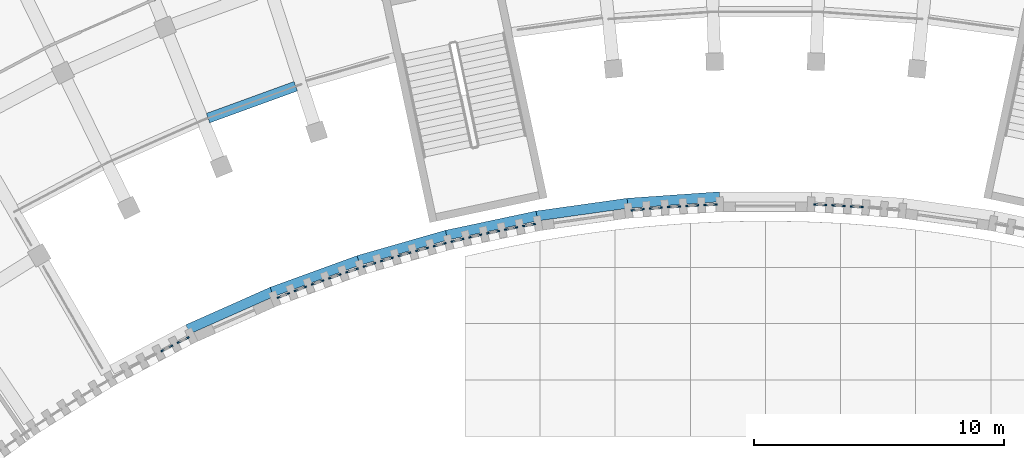
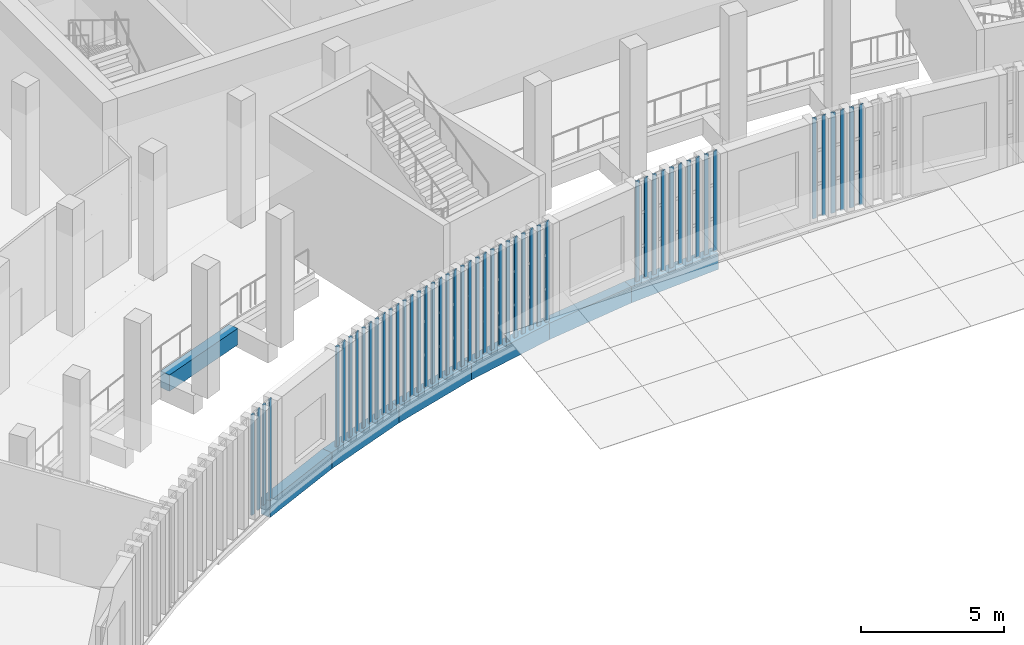
# One storey, part 11 of 112: 50 members, 7 beams, 25 elements without a shape of their own.
"""IFC4 building model written with IfcOpenShell, lengths in metres."""

import ifcopenshell
import ifcopenshell.guid

model = None  # the IFC model being written
_history = None  # IfcOwnerHistory: only IFC2X3 demands one
_inside = {}  # id of a spatial element -> (the spatial element, [elements in it])
_under = {}  # id of a project, library or spatial element -> (it, [spatial elements below it])
_declared = {}  # id of a project -> (the project, [libraries it declares])
_typed = {}  # id of a type object -> (the type object, [elements of that type])
_made_of = {}  # id of a material, layer set ... -> (it, [elements and type objects made of it])


def new_model(schema):
    """Start an empty IFC model of exactly this schema.

    Asked for "IFC4X3", IfcOpenShell would pick the latest addendum, in which some entities
    have other attributes; the version numbers below select the first issue.
    IFC2X3 requires an IfcOwnerHistory on every rooted entity: one is made here for all.
    """
    global model, _history
    if schema == "IFC4X3":
        model = ifcopenshell.file(schema_version=(4, 3, 0, 0))
    else:
        model = ifcopenshell.file(schema=schema)
    _inside.clear()
    _under.clear()
    _declared.clear()
    _typed.clear()
    _made_of.clear()
    _history = None
    if model.schema == "IFC2X3":
        org = make("IfcOrganization", Name="unknown")
        user = make(
            "IfcPersonAndOrganization",
            ThePerson=make("IfcPerson", FamilyName="unknown"),
            TheOrganization=org,
        )
        app = make(
            "IfcApplication",
            ApplicationDeveloper=org,
            Version="unknown",
            ApplicationFullName="unknown",
            ApplicationIdentifier="unknown",
        )
        _history = make(
            "IfcOwnerHistory",
            OwningUser=user,
            OwningApplication=app,
            ChangeAction="ADDED",
            CreationDate=0,
        )
    return model


def make(cls, **values):
    """One entity of the class cls with the attributes given. An attribute that is None is left unset."""
    return model.create_entity(
        cls, **{name: value for name, value in values.items() if value is not None}
    )


def rooted(cls, **values):
    """An entity with a GlobalId (a new one), such as an element, a storey or a relation."""
    return make(cls, GlobalId=ifcopenshell.guid.new(), OwnerHistory=_history, **values)


def si_unit(unit_type, name, prefix=None):
    """IfcSIUnit, for example si_unit("LENGTHUNIT", "METRE", prefix="MILLI")."""
    return make("IfcSIUnit", UnitType=unit_type, Prefix=prefix, Name=name)


def assignment(units):
    """IfcUnitAssignment: the units of a project."""
    return None if units is None else make("IfcUnitAssignment", Units=units)


def point(xyz):
    """IfcCartesianPoint."""
    return None if xyz is None else make("IfcCartesianPoint", Coordinates=xyz)


def direction(xyz):
    """IfcDirection."""
    return None if xyz is None else make("IfcDirection", DirectionRatios=xyz)


def frame(location, z_axis=None, x_axis=None):
    """IfcAxis2Placement3D, a coordinate frame: its origin and axes. An axis left out is left unset."""
    return make(
        "IfcAxis2Placement3D",
        Location=point(location),
        Axis=direction(z_axis),
        RefDirection=direction(x_axis),
    )


def frame_2d(location, x_axis=None):
    """IfcAxis2Placement2D, a coordinate frame in the plane: its origin and x axis."""
    return make(
        "IfcAxis2Placement2D", Location=point(location), RefDirection=direction(x_axis)
    )


def origin():
    """The frame at (0, 0, 0) with its axes left unset."""
    return frame((0.0, 0.0, 0.0))


def origin_2d():
    """The frame at (0, 0) in the plane with its x axis left unset."""
    return frame_2d((0.0, 0.0))


def place(relative_to, where):
    """IfcLocalPlacement: puts the frame where relative to a parent placement (None: the world)."""
    return make(
        "IfcLocalPlacement", PlacementRelTo=relative_to, RelativePlacement=where
    )


def context(
    kind, dimensions, precision=None, world=None, true_north=None, identifier=None
):
    """IfcGeometricRepresentationContext, for example the 3D "Model" context."""
    return make(
        "IfcGeometricRepresentationContext",
        ContextIdentifier=identifier,
        ContextType=kind,
        CoordinateSpaceDimension=dimensions,
        Precision=precision,
        WorldCoordinateSystem=world,
        TrueNorth=true_north,
    )


def subcontext(parent, identifier, kind, view, scale=None):
    """IfcGeometricRepresentationSubContext, for example "Body" below "Model"."""
    return make(
        "IfcGeometricRepresentationSubContext",
        ContextIdentifier=identifier,
        ContextType=kind,
        ParentContext=parent,
        TargetScale=scale,
        TargetView=view,
    )


def project(units=None, contexts=None):
    """IfcProject with its units and contexts."""
    return rooted(
        "IfcProject",
        Name="project",
        RepresentationContexts=contexts,
        UnitsInContext=assignment(units),
    )


def spatial(cls, under=None, at=None, **own):
    """A site, building, storey or space (cls), placed at a placement, below another one or the project."""
    s = rooted(cls, ObjectPlacement=at, **own)
    if under is not None:
        _under.setdefault(under.id(), (under, []))[1].append(s)
    return s


def profile(cls, at=None, kind="AREA", **sizes):
    """A parametric profile (cls). Its sizes go by their IFC names, for example OverallWidth=200.0."""
    return make(cls, ProfileType=kind, Position=at, **sizes)


def rectangle(**sizes):
    """IfcRectangleProfileDef."""
    return profile("IfcRectangleProfileDef", **sizes)


def extrude(swept, where, along, depth):
    """IfcExtrudedAreaSolid: the profile swept, set in the frame where, extruded along a direction by depth."""
    return make(
        "IfcExtrudedAreaSolid",
        SweptArea=swept,
        Position=where,
        ExtrudedDirection=direction(along),
        Depth=depth,
    )


def shape(context_of_items, identifier, shape_type, items):
    """IfcShapeRepresentation: the items that make up one representation, for example the "Body"."""
    return make(
        "IfcShapeRepresentation",
        ContextOfItems=context_of_items,
        RepresentationIdentifier=identifier,
        RepresentationType=shape_type,
        Items=items,
    )


def material(Name=None, Category=None):
    """IfcMaterial."""
    return make("IfcMaterial", Name=Name, Category=Category)


def layer(
    of_material, thickness, ventilated=None, Name=None, Category=None, Priority=None
):
    """IfcMaterialLayer: one layer of a wall or slab, of a material (None: an air gap)."""
    return make(
        "IfcMaterialLayer",
        Material=of_material,
        LayerThickness=thickness,
        IsVentilated=ventilated,
        Name=Name,
        Category=Category,
        Priority=Priority,
    )


def layer_set(layers, Name=None):
    """IfcMaterialLayerSet."""
    return make("IfcMaterialLayerSet", MaterialLayers=layers, LayerSetName=Name)


def material_profile(
    of_material, cross_section, Name=None, Category=None, Priority=None
):
    """IfcMaterialProfile: a cross section and its material."""
    return make(
        "IfcMaterialProfile",
        Name=Name,
        Material=of_material,
        Profile=cross_section,
        Priority=Priority,
        Category=Category,
    )


def profile_set(profiles, Name=None, composite=None):
    """IfcMaterialProfileSet."""
    return make(
        "IfcMaterialProfileSet",
        Name=Name,
        MaterialProfiles=profiles,
        CompositeProfile=composite,
    )


def made_of(thing, what):
    """Note that an element or type object is made of a material, layer set ...; save() writes the relation."""
    if what is not None:
        _made_of.setdefault(what.id(), (what, []))[1].append(thing)
    return thing


def type_object(cls, material=None, **own):
    """A type object (cls), such as IfcWallType, which elements share."""
    return made_of(rooted(cls, **own), material)


def element(
    cls,
    number,
    at=None,
    inside=None,
    cuts=None,
    type_object=None,
    material=None,
    context=None,
    identifier="Body",
    shape_type=None,
    held_by="IfcProductDefinitionShape",
    body=None,
    shapes=None,
    **own,
):
    """One element of the class cls, such as IfcWall. Its Tag is "e" and its number.

    at: its placement. inside: the storey or other place that contains it. cuts: it is an
    opening in that element (IfcRelVoidsElement). A single representation is given by context,
    identifier, shape_type and body (its items); several are given by shapes. held_by: the class
    of the entity that holds the representations. save() writes the other relations.
    """
    e = rooted(cls, Tag="e%d" % number, ObjectPlacement=at, **own)
    if body is not None:
        shapes = [shape(context, identifier, shape_type, body)]
    if shapes is not None:
        e.Representation = make(held_by, Representations=shapes)
    if inside is not None:
        _inside.setdefault(inside.id(), (inside, []))[1].append(e)
    if cuts is not None:
        rooted(
            "IfcRelVoidsElement", RelatingBuildingElement=cuts, RelatedOpeningElement=e
        )
    if type_object is not None:
        _typed.setdefault(type_object.id(), (type_object, []))[1].append(e)
    return made_of(e, material)


def aggregate(whole, parts):
    """IfcRelAggregates: a whole, such as a stair, and the parts it consists of."""
    return rooted("IfcRelAggregates", RelatingObject=whole, RelatedObjects=parts)


def save(model, path):
    """Write the relations noted so far, then the file.

    IfcRelAggregates (storeys below a building ...), IfcRelContainedInSpatialStructure (elements
    in a storey), IfcRelDefinesByType, IfcRelAssociatesMaterial and IfcRelDeclares: one each for
    every whole, place, type object, material and project.
    """
    for whole, parts in _under.values():
        aggregate(whole, parts)
    for where, things in _inside.values():
        rooted(
            "IfcRelContainedInSpatialStructure",
            RelatedElements=things,
            RelatingStructure=where,
        )
    for kind, things in _typed.values():
        rooted("IfcRelDefinesByType", RelatedObjects=things, RelatingType=kind)
    for what, things in _made_of.values():
        rooted("IfcRelAssociatesMaterial", RelatedObjects=things, RelatingMaterial=what)
    for by, libraries in _declared.values():
        rooted("IfcRelDeclares", RelatingContext=by, RelatedDefinitions=libraries)
    model.write(path)


model = new_model("IFC4")

# Units and contexts
model_context = context("Model", 3, precision=1e-05, world=origin(), true_north=direction((0.0, 1.0)))
body_context = subcontext(model_context, "Body", "Model", "MODEL_VIEW")
ifc_project = project(units=[si_unit("LENGTHUNIT", "METRE"), si_unit("AREAUNIT", "SQUARE_METRE"), si_unit("VOLUMEUNIT", "CUBIC_METRE"), si_unit("PLANEANGLEUNIT", "RADIAN"), si_unit("MASSUNIT", "GRAM", prefix="KILO")], contexts=[model_context])

# Site, building, storey
site_placement = place(None, origin())
site = spatial("IfcSite", under=ifc_project, at=site_placement, CompositionType="ELEMENT")
building_placement = place(site_placement, origin())
building = spatial("IfcBuilding", under=site, at=building_placement, Name="Lunette Opera House", CompositionType="ELEMENT")
storey_placement = place(building_placement, frame((0.0, 0.0, 6.0)))
storey = spatial("IfcBuildingStorey", under=building, at=storey_placement, Name="L01", CompositionType="ELEMENT", Elevation=6.0)

# Curtain wall, members
ifc_material_1 = material(Name="Aluminium", Category="aluminium")
ifc_layer = layer(ifc_material_1, 0.1201171875)
ifc_layer_set = layer_set([ifc_layer], Name="Aluminium")
curtain_wall_type = type_object("IfcCurtainWallType", Name="SLOT CURTAIN WALL", PredefinedType="NOTDEFINED", material=ifc_layer_set)
curtain_wall_1_placement = place(storey_placement, origin())
curtain_wall_1 = element("IfcCurtainWall", 1, at=curtain_wall_1_placement, inside=storey, type_object=curtain_wall_type, Name="Slot Curtain Wall CS019 L01", PredefinedType="NOTDEFINED")
ifc_material_2 = material(Name="Aluminium", Category="aluminium")
ifc_material_profile_1 = material_profile(ifc_material_2, rectangle(XDim=0.06005859375, YDim=0.159912109375, at=origin_2d()), Name="MULLION 60 X 160")
ifc_profile_set_1 = profile_set([ifc_material_profile_1], Name="Aluminium")
member_type = type_object("IfcMemberType", Name="MULLION 60 X 160", PredefinedType="MULLION", material=ifc_profile_set_1)
member_1_placement = place(storey_placement, frame((71.9296875, 46.431640625, 0.0), z_axis=(0.0, 0.0, 1.0), x_axis=(-0.45650577905, 0.889720446935, 0.0)))
member_1 = element("IfcMember", 2, at=member_1_placement, type_object=member_type, Name="FC-X2038 mullion 1", PredefinedType="MULLION", context=body_context, shape_type="SweptSolid", body=[
    extrude(rectangle(XDim=0.06005859375, YDim=0.159912109375, at=origin_2d()), origin(), (0.0, 0.0, 1.0), 4.300048828125),
])
member_2_placement = place(storey_placement, frame((72.25830078125, 46.600341796875, 0.0), z_axis=(0.0, 0.0, 1.0), x_axis=(-0.45650577905, 0.889720446935, 0.0)))
member_2 = element("IfcMember", 3, at=member_2_placement, type_object=member_type, Name="FC-X2038 mullion 2", PredefinedType="MULLION", context=body_context, shape_type="SweptSolid", body=[
    extrude(rectangle(XDim=0.06005859375, YDim=0.159912109375, at=origin_2d()), origin(), (0.0, 0.0, 1.0), 4.300048828125),
])
aggregate(curtain_wall_1, [member_1, member_2])

curtain_wall_2_placement = place(storey_placement, origin())
curtain_wall_2 = element("IfcCurtainWall", 4, at=curtain_wall_2_placement, inside=storey, type_object=curtain_wall_type, Name="Slot Curtain Wall CS020 L01", PredefinedType="NOTDEFINED")
member_3_placement = place(storey_placement, frame((72.579833984375, 46.763427734375, 0.0), z_axis=(0.0, 0.0, 1.0), x_axis=(-0.444419253552, 0.895818914219, 0.0)))
member_3 = element("IfcMember", 5, at=member_3_placement, type_object=member_type, Name="FC-X2040 mullion 1", PredefinedType="MULLION", context=body_context, shape_type="SweptSolid", body=[
    extrude(rectangle(XDim=0.06005859375, YDim=0.159912109375, at=origin_2d()), origin(), (0.0, 0.0, 1.0), 4.300048828125),
])
member_4_placement = place(storey_placement, frame((72.9111328125, 46.927734375, 0.0), z_axis=(0.0, 0.0, 1.0), x_axis=(-0.444419253552, 0.895818914219, 0.0)))
member_4 = element("IfcMember", 6, at=member_4_placement, type_object=member_type, Name="FC-X2040 mullion 2", PredefinedType="MULLION", context=body_context, shape_type="SweptSolid", body=[
    extrude(rectangle(XDim=0.06005859375, YDim=0.159912109375, at=origin_2d()), origin(), (0.0, 0.0, 1.0), 4.300048828125),
])
aggregate(curtain_wall_2, [member_3, member_4])

curtain_wall_3_placement = place(storey_placement, origin())
curtain_wall_3 = element("IfcCurtainWall", 7, at=curtain_wall_3_placement, inside=storey, type_object=curtain_wall_type, Name="Slot Curtain Wall CS021 L01", PredefinedType="NOTDEFINED")
member_5_placement = place(storey_placement, frame((76.574951171875, 48.55908203125, 0.0), z_axis=(0.0, 0.0, 1.0), x_axis=(-0.367378285076, 0.93007160781, 0.0)))
member_5 = element("IfcMember", 8, at=member_5_placement, type_object=member_type, Name="FC-X2042 mullion 1", PredefinedType="MULLION", context=body_context, shape_type="SweptSolid", body=[
    extrude(rectangle(XDim=0.06005859375, YDim=0.159912109375, at=origin_2d()), origin(), (0.0, 0.0, 1.0), 4.300048828125),
])
member_6_placement = place(storey_placement, frame((76.919189453125, 48.695068359375, 0.0), z_axis=(0.0, 0.0, 1.0), x_axis=(-0.367378285076, 0.93007160781, 0.0)))
member_6 = element("IfcMember", 9, at=member_6_placement, type_object=member_type, Name="FC-X2042 mullion 2", PredefinedType="MULLION", context=body_context, shape_type="SweptSolid", body=[
    extrude(rectangle(XDim=0.06005859375, YDim=0.159912109375, at=origin_2d()), origin(), (0.0, 0.0, 1.0), 4.300048828125),
])
aggregate(curtain_wall_3, [member_5, member_6])

curtain_wall_4_placement = place(storey_placement, origin())
curtain_wall_4 = element("IfcCurtainWall", 10, at=curtain_wall_4_placement, inside=storey, type_object=curtain_wall_type, Name="Slot Curtain Wall CS022 L01", PredefinedType="NOTDEFINED")
member_7_placement = place(storey_placement, frame((77.255126953125, 48.82568359375, 0.0), z_axis=(0.0, 0.0, 1.0), x_axis=(-0.353672046164, 0.935369490502, 0.0)))
member_7 = element("IfcMember", 11, at=member_7_placement, type_object=member_type, Name="FC-X2044 mullion 1", PredefinedType="MULLION", context=body_context, shape_type="SweptSolid", body=[
    extrude(rectangle(XDim=0.06005859375, YDim=0.159912109375, at=origin_2d()), origin(), (0.0, 0.0, 1.0), 4.300048828125),
])
member_8_placement = place(storey_placement, frame((77.600830078125, 48.956298828125, 0.0), z_axis=(0.0, 0.0, 1.0), x_axis=(-0.353672046164, 0.935369490502, 0.0)))
member_8 = element("IfcMember", 12, at=member_8_placement, type_object=member_type, Name="FC-X2044 mullion 2", PredefinedType="MULLION", context=body_context, shape_type="SweptSolid", body=[
    extrude(rectangle(XDim=0.06005859375, YDim=0.159912109375, at=origin_2d()), origin(), (0.0, 0.0, 1.0), 4.300048828125),
])
aggregate(curtain_wall_4, [member_7, member_8])

curtain_wall_5_placement = place(storey_placement, origin())
curtain_wall_5 = element("IfcCurtainWall", 13, at=curtain_wall_5_placement, inside=storey, type_object=curtain_wall_type, Name="Slot Curtain Wall CS023 L01", PredefinedType="NOTDEFINED")
member_9_placement = place(storey_placement, frame((77.938232421875, 49.082275390625, 0.0), z_axis=(0.0, 0.0, 1.0), x_axis=(-0.341183934655, 0.939996554639, 0.0)))
member_9 = element("IfcMember", 14, at=member_9_placement, type_object=member_type, Name="FC-X2046 mullion 1", PredefinedType="MULLION", context=body_context, shape_type="SweptSolid", body=[
    extrude(rectangle(XDim=0.06005859375, YDim=0.159912109375, at=origin_2d()), origin(), (0.0, 0.0, 1.0), 4.300048828125),
])
member_10_placement = place(storey_placement, frame((78.286865234375, 49.208740234375, 0.0), z_axis=(0.0, 0.0, 1.0), x_axis=(-0.341183934655, 0.939996554639, 0.0)))
member_10 = element("IfcMember", 15, at=member_10_placement, type_object=member_type, Name="FC-X2046 mullion 2", PredefinedType="MULLION", context=body_context, shape_type="SweptSolid", body=[
    extrude(rectangle(XDim=0.06005859375, YDim=0.159912109375, at=origin_2d()), origin(), (0.0, 0.0, 1.0), 4.300048828125),
])
aggregate(curtain_wall_5, [member_9, member_10])

curtain_wall_6_placement = place(storey_placement, origin())
curtain_wall_6 = element("IfcCurtainWall", 16, at=curtain_wall_6_placement, inside=storey, type_object=curtain_wall_type, Name="Slot Curtain Wall CS024 L01", PredefinedType="NOTDEFINED")
member_11_placement = place(storey_placement, frame((78.625244140625, 49.329833984375, 0.0), z_axis=(0.0, 0.0, 1.0), x_axis=(-0.327349770191, 0.944903237351, 0.0)))
member_11 = element("IfcMember", 17, at=member_11_placement, type_object=member_type, Name="FC-X2048 mullion 1", PredefinedType="MULLION", context=body_context, shape_type="SweptSolid", body=[
    extrude(rectangle(XDim=0.06005859375, YDim=0.159912109375, at=origin_2d()), origin(), (0.0, 0.0, 1.0), 4.300048828125),
])
member_12_placement = place(storey_placement, frame((78.9755859375, 49.451171875, 0.0), z_axis=(0.0, 0.0, 1.0), x_axis=(-0.327349770191, 0.944903237351, 0.0)))
member_12 = element("IfcMember", 18, at=member_12_placement, type_object=member_type, Name="FC-X2048 mullion 2", PredefinedType="MULLION", context=body_context, shape_type="SweptSolid", body=[
    extrude(rectangle(XDim=0.06005859375, YDim=0.159912109375, at=origin_2d()), origin(), (0.0, 0.0, 1.0), 4.300048828125),
])
aggregate(curtain_wall_6, [member_11, member_12])

curtain_wall_7_placement = place(storey_placement, origin())
curtain_wall_7 = element("IfcCurtainWall", 19, at=curtain_wall_7_placement, inside=storey, type_object=curtain_wall_type, Name="Slot Curtain Wall CS025 L01", PredefinedType="NOTDEFINED")
member_13_placement = place(storey_placement, frame((79.31640625, 49.5673828125, 0.0), z_axis=(0.0, 0.0, 1.0), x_axis=(-0.316227766018, 0.94868329805, 0.0)))
member_13 = element("IfcMember", 20, at=member_13_placement, type_object=member_type, Name="FC-X2050 mullion 1", PredefinedType="MULLION", context=body_context, shape_type="SweptSolid", body=[
    extrude(rectangle(XDim=0.06005859375, YDim=0.159912109375, at=origin_2d()), origin(), (0.0, 0.0, 1.0), 4.300048828125),
])
member_14_placement = place(storey_placement, frame((79.66748046875, 49.6845703125, 0.0), z_axis=(0.0, 0.0, 1.0), x_axis=(-0.316227766018, 0.94868329805, 0.0)))
member_14 = element("IfcMember", 21, at=member_14_placement, type_object=member_type, Name="FC-X2050 mullion 2", PredefinedType="MULLION", context=body_context, shape_type="SweptSolid", body=[
    extrude(rectangle(XDim=0.06005859375, YDim=0.159912109375, at=origin_2d()), origin(), (0.0, 0.0, 1.0), 4.300048828125),
])
aggregate(curtain_wall_7, [member_13, member_14])

curtain_wall_8_placement = place(storey_placement, origin())
curtain_wall_8 = element("IfcCurtainWall", 22, at=curtain_wall_8_placement, inside=storey, type_object=curtain_wall_type, Name="Slot Curtain Wall CS026 L01", PredefinedType="NOTDEFINED")
member_15_placement = place(storey_placement, frame((80.009521484375, 49.795166015625, 0.0), z_axis=(0.0, 0.0, 1.0), x_axis=(-0.302243860731, 0.9532306377, 0.0)))
member_15 = element("IfcMember", 23, at=member_15_placement, type_object=member_type, Name="FC-X2052 mullion 1", PredefinedType="MULLION", context=body_context, shape_type="SweptSolid", body=[
    extrude(rectangle(XDim=0.06005859375, YDim=0.159912109375, at=origin_2d()), origin(), (0.0, 0.0, 1.0), 4.300048828125),
])
member_16_placement = place(storey_placement, frame((80.3623046875, 49.906982421875, 0.0), z_axis=(0.0, 0.0, 1.0), x_axis=(-0.302243860731, 0.9532306377, 0.0)))
member_16 = element("IfcMember", 24, at=member_16_placement, type_object=member_type, Name="FC-X2052 mullion 2", PredefinedType="MULLION", context=body_context, shape_type="SweptSolid", body=[
    extrude(rectangle(XDim=0.06005859375, YDim=0.159912109375, at=origin_2d()), origin(), (0.0, 0.0, 1.0), 4.300048828125),
])
aggregate(curtain_wall_8, [member_15, member_16])

curtain_wall_9_placement = place(storey_placement, origin())
curtain_wall_9 = element("IfcCurtainWall", 25, at=curtain_wall_9_placement, inside=storey, type_object=curtain_wall_type, Name="Slot Curtain Wall CS027 L01", PredefinedType="NOTDEFINED")
member_17_placement = place(storey_placement, frame((80.706787109375, 50.013671875, 0.0), z_axis=(0.0, 0.0, 1.0), x_axis=(-0.290329696075, 0.956926678266, 0.0)))
member_17 = element("IfcMember", 26, at=member_17_placement, type_object=member_type, Name="FC-X2054 mullion 1", PredefinedType="MULLION", context=body_context, shape_type="SweptSolid", body=[
    extrude(rectangle(XDim=0.06005859375, YDim=0.159912109375, at=origin_2d()), origin(), (0.0, 0.0, 1.0), 4.300048828125),
])
member_18_placement = place(storey_placement, frame((81.061279296875, 50.121337890625, 0.0), z_axis=(0.0, 0.0, 1.0), x_axis=(-0.290329696075, 0.956926678266, 0.0)))
member_18 = element("IfcMember", 27, at=member_18_placement, type_object=member_type, Name="FC-X2054 mullion 2", PredefinedType="MULLION", context=body_context, shape_type="SweptSolid", body=[
    extrude(rectangle(XDim=0.06005859375, YDim=0.159912109375, at=origin_2d()), origin(), (0.0, 0.0, 1.0), 4.300048828125),
])
aggregate(curtain_wall_9, [member_17, member_18])

curtain_wall_10_placement = place(storey_placement, origin())
curtain_wall_10 = element("IfcCurtainWall", 28, at=curtain_wall_10_placement, inside=storey, type_object=curtain_wall_type, Name="Slot Curtain Wall CS028 L01", PredefinedType="NOTDEFINED")
member_19_placement = place(storey_placement, frame((81.40576171875, 50.22216796875, 0.0), z_axis=(0.0, 0.0, 1.0), x_axis=(-0.276253818781, 0.961084714065, 0.0)))
member_19 = element("IfcMember", 29, at=member_19_placement, type_object=member_type, Name="FC-X2056 mullion 1", PredefinedType="MULLION", context=body_context, shape_type="SweptSolid", body=[
    extrude(rectangle(XDim=0.06005859375, YDim=0.159912109375, at=origin_2d()), origin(), (0.0, 0.0, 1.0), 4.300048828125),
])
member_20_placement = place(storey_placement, frame((81.76220703125, 50.32470703125, 0.0), z_axis=(0.0, 0.0, 1.0), x_axis=(-0.276253818781, 0.961084714065, 0.0)))
member_20 = element("IfcMember", 30, at=member_20_placement, type_object=member_type, Name="FC-X2056 mullion 2", PredefinedType="MULLION", context=body_context, shape_type="SweptSolid", body=[
    extrude(rectangle(XDim=0.06005859375, YDim=0.159912109375, at=origin_2d()), origin(), (0.0, 0.0, 1.0), 4.300048828125),
])
aggregate(curtain_wall_10, [member_19, member_20])

curtain_wall_11_placement = place(storey_placement, origin())
curtain_wall_11 = element("IfcCurtainWall", 31, at=curtain_wall_11_placement, inside=storey, type_object=curtain_wall_type, Name="Slot Curtain Wall CS029 L01", PredefinedType="NOTDEFINED")
member_21_placement = place(storey_placement, frame((82.10888671875, 50.421875, 0.0), z_axis=(0.0, 0.0, 1.0), x_axis=(-0.260557433934, 0.965458348983, 0.0)))
member_21 = element("IfcMember", 32, at=member_21_placement, type_object=member_type, Name="FC-X2058 mullion 1", PredefinedType="MULLION", context=body_context, shape_type="SweptSolid", body=[
    extrude(rectangle(XDim=0.06005859375, YDim=0.159912109375, at=origin_2d()), origin(), (0.0, 0.0, 1.0), 4.300048828125),
])
member_22_placement = place(storey_placement, frame((82.466064453125, 50.51806640625, 0.0), z_axis=(0.0, 0.0, 1.0), x_axis=(-0.260557433934, 0.965458348983, 0.0)))
member_22 = element("IfcMember", 33, at=member_22_placement, type_object=member_type, Name="FC-X2058 mullion 2", PredefinedType="MULLION", context=body_context, shape_type="SweptSolid", body=[
    extrude(rectangle(XDim=0.06005859375, YDim=0.159912109375, at=origin_2d()), origin(), (0.0, 0.0, 1.0), 4.300048828125),
])
aggregate(curtain_wall_11, [member_21, member_22])

curtain_wall_12_placement = place(storey_placement, origin())
curtain_wall_12 = element("IfcCurtainWall", 34, at=curtain_wall_12_placement, inside=storey, type_object=curtain_wall_type, Name="Slot Curtain Wall CS030 L01", PredefinedType="NOTDEFINED")
member_23_placement = place(storey_placement, frame((82.81396484375, 50.6103515625, 0.0), z_axis=(0.0, 0.0, 1.0), x_axis=(-0.248543003132, 0.968620862667, 0.0)))
member_23 = element("IfcMember", 35, at=member_23_placement, type_object=member_type, Name="FC-X2060 mullion 1", PredefinedType="MULLION", context=body_context, shape_type="SweptSolid", body=[
    extrude(rectangle(XDim=0.06005859375, YDim=0.159912109375, at=origin_2d()), origin(), (0.0, 0.0, 1.0), 4.300048828125),
])
member_24_placement = place(storey_placement, frame((83.1728515625, 50.70263671875, 0.0), z_axis=(0.0, 0.0, 1.0), x_axis=(-0.248543003132, 0.968620862667, 0.0)))
member_24 = element("IfcMember", 36, at=member_24_placement, type_object=member_type, Name="FC-X2060 mullion 2", PredefinedType="MULLION", context=body_context, shape_type="SweptSolid", body=[
    extrude(rectangle(XDim=0.06005859375, YDim=0.159912109375, at=origin_2d()), origin(), (0.0, 0.0, 1.0), 4.300048828125),
])
aggregate(curtain_wall_12, [member_23, member_24])

curtain_wall_13_placement = place(storey_placement, origin())
curtain_wall_13 = element("IfcCurtainWall", 37, at=curtain_wall_13_placement, inside=storey, type_object=curtain_wall_type, Name="Slot Curtain Wall CS031 L01", PredefinedType="NOTDEFINED")
member_25_placement = place(storey_placement, frame((83.522216796875, 50.7900390625, 0.0), z_axis=(0.0, 0.0, 1.0), x_axis=(-0.234867843442, 0.972027312434, 0.0)))
member_25 = element("IfcMember", 38, at=member_25_placement, type_object=member_type, Name="FC-X2062 mullion 1", PredefinedType="MULLION", context=body_context, shape_type="SweptSolid", body=[
    extrude(rectangle(XDim=0.06005859375, YDim=0.159912109375, at=origin_2d()), origin(), (0.0, 0.0, 1.0), 4.300048828125),
])
member_26_placement = place(storey_placement, frame((83.8818359375, 50.876953125, 0.0), z_axis=(0.0, 0.0, 1.0), x_axis=(-0.234867843442, 0.972027312434, 0.0)))
member_26 = element("IfcMember", 39, at=member_26_placement, type_object=member_type, Name="FC-X2062 mullion 2", PredefinedType="MULLION", context=body_context, shape_type="SweptSolid", body=[
    extrude(rectangle(XDim=0.06005859375, YDim=0.159912109375, at=origin_2d()), origin(), (0.0, 0.0, 1.0), 4.300048828125),
])
aggregate(curtain_wall_13, [member_25, member_26])

curtain_wall_14_placement = place(storey_placement, origin())
curtain_wall_14 = element("IfcCurtainWall", 40, at=curtain_wall_14_placement, inside=storey, type_object=curtain_wall_type, Name="Slot Curtain Wall CS032 L01", PredefinedType="NOTDEFINED")
member_27_placement = place(storey_placement, frame((84.232177734375, 50.958740234375, 0.0), z_axis=(0.0, 0.0, 1.0), x_axis=(-0.222824801509, 0.97485850657, 0.0)))
member_27 = element("IfcMember", 41, at=member_27_placement, type_object=member_type, Name="FC-X2064 mullion 1", PredefinedType="MULLION", context=body_context, shape_type="SweptSolid", body=[
    extrude(rectangle(XDim=0.06005859375, YDim=0.159912109375, at=origin_2d()), origin(), (0.0, 0.0, 1.0), 4.300048828125),
])
member_28_placement = place(storey_placement, frame((84.59375, 51.041259765625, 0.0), z_axis=(0.0, 0.0, 1.0), x_axis=(-0.222824801509, 0.97485850657, 0.0)))
member_28 = element("IfcMember", 42, at=member_28_placement, type_object=member_type, Name="FC-X2064 mullion 2", PredefinedType="MULLION", context=body_context, shape_type="SweptSolid", body=[
    extrude(rectangle(XDim=0.06005859375, YDim=0.159912109375, at=origin_2d()), origin(), (0.0, 0.0, 1.0), 4.300048828125),
])
aggregate(curtain_wall_14, [member_27, member_28])

curtain_wall_15_placement = place(storey_placement, origin())
curtain_wall_15 = element("IfcCurtainWall", 43, at=curtain_wall_15_placement, inside=storey, type_object=curtain_wall_type, Name="Slot Curtain Wall CS033 L01", PredefinedType="NOTDEFINED")
member_29_placement = place(storey_placement, frame((84.9453125, 51.1181640625, 0.0), z_axis=(0.0, 0.0, 1.0), x_axis=(-0.206830258672, 0.978376841558, 0.0)))
member_29 = element("IfcMember", 44, at=member_29_placement, type_object=member_type, Name="FC-X2066 mullion 1", PredefinedType="MULLION", context=body_context, shape_type="SweptSolid", body=[
    extrude(rectangle(XDim=0.06005859375, YDim=0.159912109375, at=origin_2d()), origin(), (0.0, 0.0, 1.0), 4.300048828125),
])
member_30_placement = place(storey_placement, frame((85.3076171875, 51.19482421875, 0.0), z_axis=(0.0, 0.0, 1.0), x_axis=(-0.206830258672, 0.978376841558, 0.0)))
member_30 = element("IfcMember", 45, at=member_30_placement, type_object=member_type, Name="FC-X2066 mullion 2", PredefinedType="MULLION", context=body_context, shape_type="SweptSolid", body=[
    extrude(rectangle(XDim=0.06005859375, YDim=0.159912109375, at=origin_2d()), origin(), (0.0, 0.0, 1.0), 4.300048828125),
])
aggregate(curtain_wall_15, [member_29, member_30])

curtain_wall_16_placement = place(storey_placement, origin())
curtain_wall_16 = element("IfcCurtainWall", 46, at=curtain_wall_16_placement, inside=storey, type_object=curtain_wall_type, Name="Slot Curtain Wall CS034 L01", PredefinedType="NOTDEFINED")
member_31_placement = place(storey_placement, frame((85.660400390625, 51.267822265625, 0.0), z_axis=(0.0, 0.0, 1.0), x_axis=(-0.192985163529, 0.981201674814, 0.0)))
member_31 = element("IfcMember", 47, at=member_31_placement, type_object=member_type, Name="FC-X2068 mullion 1", PredefinedType="MULLION", context=body_context, shape_type="SweptSolid", body=[
    extrude(rectangle(XDim=0.06005859375, YDim=0.159912109375, at=origin_2d()), origin(), (0.0, 0.0, 1.0), 4.300048828125),
])
member_32_placement = place(storey_placement, frame((86.023681640625, 51.339111328125, 0.0), z_axis=(0.0, 0.0, 1.0), x_axis=(-0.192985163529, 0.981201674814, 0.0)))
member_32 = element("IfcMember", 48, at=member_32_placement, type_object=member_type, Name="FC-X2068 mullion 2", PredefinedType="MULLION", context=body_context, shape_type="SweptSolid", body=[
    extrude(rectangle(XDim=0.06005859375, YDim=0.159912109375, at=origin_2d()), origin(), (0.0, 0.0, 1.0), 4.300048828125),
])
aggregate(curtain_wall_16, [member_31, member_32])

curtain_wall_17_placement = place(storey_placement, origin())
curtain_wall_17 = element("IfcCurtainWall", 49, at=curtain_wall_17_placement, inside=storey, type_object=curtain_wall_type, Name="Slot Curtain Wall CS035 L01", PredefinedType="NOTDEFINED")
member_33_placement = place(storey_placement, frame((86.37646484375, 51.407470703125, 0.0), z_axis=(0.0, 0.0, 1.0), x_axis=(-0.178681227225, 0.983907017475, 0.0)))
member_33 = element("IfcMember", 50, at=member_33_placement, type_object=member_type, Name="FC-X2070 mullion 1", PredefinedType="MULLION", context=body_context, shape_type="SweptSolid", body=[
    extrude(rectangle(XDim=0.06005859375, YDim=0.159912109375, at=origin_2d()), origin(), (0.0, 0.0, 1.0), 4.300048828125),
])
member_34_placement = place(storey_placement, frame((86.741455078125, 51.4736328125, 0.0), z_axis=(0.0, 0.0, 1.0), x_axis=(-0.178681227225, 0.983907017475, 0.0)))
member_34 = element("IfcMember", 51, at=member_34_placement, type_object=member_type, Name="FC-X2070 mullion 2", PredefinedType="MULLION", context=body_context, shape_type="SweptSolid", body=[
    extrude(rectangle(XDim=0.06005859375, YDim=0.159912109375, at=origin_2d()), origin(), (0.0, 0.0, 1.0), 4.300048828125),
])
aggregate(curtain_wall_17, [member_33, member_34])

curtain_wall_18_placement = place(storey_placement, origin())
curtain_wall_18 = element("IfcCurtainWall", 52, at=curtain_wall_18_placement, inside=storey, type_object=curtain_wall_type, Name="Slot Curtain Wall CS036 L01", PredefinedType="NOTDEFINED")
member_35_placement = place(storey_placement, frame((90.7119140625, 52.031982421875, 0.0), z_axis=(0.0, 0.0, 1.0), x_axis=(-0.097436256965, 0.995241767526, 0.0)))
member_35 = element("IfcMember", 53, at=member_35_placement, type_object=member_type, Name="FC-X2072 mullion 1", PredefinedType="MULLION", context=body_context, shape_type="SweptSolid", body=[
    extrude(rectangle(XDim=0.06005859375, YDim=0.159912109375, at=origin_2d()), origin(), (0.0, 0.0, 1.0), 4.300048828125),
])
member_36_placement = place(storey_placement, frame((91.0810546875, 52.068115234375, 0.0), z_axis=(0.0, 0.0, 1.0), x_axis=(-0.097436256965, 0.995241767526, 0.0)))
member_36 = element("IfcMember", 54, at=member_36_placement, type_object=member_type, Name="FC-X2072 mullion 2", PredefinedType="MULLION", context=body_context, shape_type="SweptSolid", body=[
    extrude(rectangle(XDim=0.06005859375, YDim=0.159912109375, at=origin_2d()), origin(), (0.0, 0.0, 1.0), 4.300048828125),
])
aggregate(curtain_wall_18, [member_35, member_36])

curtain_wall_19_placement = place(storey_placement, origin())
curtain_wall_19 = element("IfcCurtainWall", 55, at=curtain_wall_19_placement, inside=storey, type_object=curtain_wall_type, Name="Slot Curtain Wall CS037 L01", PredefinedType="NOTDEFINED")
member_37_placement = place(storey_placement, frame((91.43896484375, 52.1005859375, 0.0), z_axis=(0.0, 0.0, 1.0), x_axis=(-0.083622170575, 0.996497532655, 0.0)))
member_37 = element("IfcMember", 56, at=member_37_placement, type_object=member_type, Name="FC-X2074 mullion 1", PredefinedType="MULLION", context=body_context, shape_type="SweptSolid", body=[
    extrude(rectangle(XDim=0.06005859375, YDim=0.159912109375, at=origin_2d()), origin(), (0.0, 0.0, 1.0), 4.300048828125),
])
member_38_placement = place(storey_placement, frame((91.80810546875, 52.131591796875, 0.0), z_axis=(0.0, 0.0, 1.0), x_axis=(-0.083622170575, 0.996497532655, 0.0)))
member_38 = element("IfcMember", 57, at=member_38_placement, type_object=member_type, Name="FC-X2074 mullion 2", PredefinedType="MULLION", context=body_context, shape_type="SweptSolid", body=[
    extrude(rectangle(XDim=0.06005859375, YDim=0.159912109375, at=origin_2d()), origin(), (0.0, 0.0, 1.0), 4.300048828125),
])
aggregate(curtain_wall_19, [member_37, member_38])

curtain_wall_20_placement = place(storey_placement, origin())
curtain_wall_20 = element("IfcCurtainWall", 58, at=curtain_wall_20_placement, inside=storey, type_object=curtain_wall_type, Name="Slot Curtain Wall CS038 L01", PredefinedType="NOTDEFINED")
member_39_placement = place(storey_placement, frame((92.1669921875, 52.1591796875, 0.0), z_axis=(0.0, 0.0, 1.0), x_axis=(-0.069759707987, 0.997563824094, 0.0)))
member_39 = element("IfcMember", 59, at=member_39_placement, type_object=member_type, Name="FC-X2076 mullion 1", PredefinedType="MULLION", context=body_context, shape_type="SweptSolid", body=[
    extrude(rectangle(XDim=0.06005859375, YDim=0.159912109375, at=origin_2d()), origin(), (0.0, 0.0, 1.0), 4.300048828125),
])
member_40_placement = place(storey_placement, frame((92.5361328125, 52.184814453125, 0.0), z_axis=(0.0, 0.0, 1.0), x_axis=(-0.069759707987, 0.997563824094, 0.0)))
member_40 = element("IfcMember", 60, at=member_40_placement, type_object=member_type, Name="FC-X2076 mullion 2", PredefinedType="MULLION", context=body_context, shape_type="SweptSolid", body=[
    extrude(rectangle(XDim=0.06005859375, YDim=0.159912109375, at=origin_2d()), origin(), (0.0, 0.0, 1.0), 4.300048828125),
])
aggregate(curtain_wall_20, [member_39, member_40])

curtain_wall_21_placement = place(storey_placement, origin())
curtain_wall_21 = element("IfcCurtainWall", 61, at=curtain_wall_21_placement, inside=storey, type_object=curtain_wall_type, Name="Slot Curtain Wall CS039 L01", PredefinedType="NOTDEFINED")
member_41_placement = place(storey_placement, frame((92.89599609375, 52.207763671875, 0.0), z_axis=(0.0, 0.0, 1.0), x_axis=(-0.055856715797, 0.99843879497, 0.0)))
member_41 = element("IfcMember", 62, at=member_41_placement, type_object=member_type, Name="FC-X2078 mullion 1", PredefinedType="MULLION", context=body_context, shape_type="SweptSolid", body=[
    extrude(rectangle(XDim=0.06005859375, YDim=0.159912109375, at=origin_2d()), origin(), (0.0, 0.0, 1.0), 4.300048828125),
])
member_42_placement = place(storey_placement, frame((93.26513671875, 52.228271484375, 0.0), z_axis=(0.0, 0.0, 1.0), x_axis=(-0.055856715797, 0.99843879497, 0.0)))
member_42 = element("IfcMember", 63, at=member_42_placement, type_object=member_type, Name="FC-X2078 mullion 2", PredefinedType="MULLION", context=body_context, shape_type="SweptSolid", body=[
    extrude(rectangle(XDim=0.06005859375, YDim=0.159912109375, at=origin_2d()), origin(), (0.0, 0.0, 1.0), 4.300048828125),
])
aggregate(curtain_wall_21, [member_41, member_42])

curtain_wall_22_placement = place(storey_placement, origin())
curtain_wall_22 = element("IfcCurtainWall", 64, at=curtain_wall_22_placement, inside=storey, type_object=curtain_wall_type, Name="Slot Curtain Wall CS040 L01", PredefinedType="NOTDEFINED")
member_43_placement = place(storey_placement, frame((93.625, 52.246337890625, 0.0), z_axis=(0.0, 0.0, 1.0), x_axis=(-0.04182383723, 0.999125000508, 0.0)))
member_43 = element("IfcMember", 65, at=member_43_placement, type_object=member_type, Name="FC-X2080 mullion 1", PredefinedType="MULLION", context=body_context, shape_type="SweptSolid", body=[
    extrude(rectangle(XDim=0.06005859375, YDim=0.159912109375, at=origin_2d()), origin(), (0.0, 0.0, 1.0), 4.300048828125),
])
member_44_placement = place(storey_placement, frame((93.9951171875, 52.26171875, 0.0), z_axis=(0.0, 0.0, 1.0), x_axis=(-0.04182383723, 0.999125000508, 0.0)))
member_44 = element("IfcMember", 66, at=member_44_placement, type_object=member_type, Name="FC-X2080 mullion 2", PredefinedType="MULLION", context=body_context, shape_type="SweptSolid", body=[
    extrude(rectangle(XDim=0.06005859375, YDim=0.159912109375, at=origin_2d()), origin(), (0.0, 0.0, 1.0), 4.300048828125),
])
aggregate(curtain_wall_22, [member_43, member_44])

curtain_wall_23_placement = place(storey_placement, origin())
curtain_wall_23 = element("IfcCurtainWall", 67, at=curtain_wall_23_placement, inside=storey, type_object=curtain_wall_type, Name="Slot Curtain Wall CS041 L01", PredefinedType="NOTDEFINED")
member_45_placement = place(storey_placement, frame((98.0048828125, 52.26171875, 0.0), z_axis=(0.0, 0.0, 1.0), x_axis=(0.04182383723, 0.999125000508, 0.0)))
member_45 = element("IfcMember", 68, at=member_45_placement, type_object=member_type, Name="FC-X2082 mullion 1", PredefinedType="MULLION", context=body_context, shape_type="SweptSolid", body=[
    extrude(rectangle(XDim=0.06005859375, YDim=0.159912109375, at=origin_2d()), origin(), (0.0, 0.0, 1.0), 4.300048828125),
])
member_46_placement = place(storey_placement, frame((98.375, 52.246337890625, 0.0), z_axis=(0.0, 0.0, 1.0), x_axis=(0.04182383723, 0.999125000508, 0.0)))
member_46 = element("IfcMember", 69, at=member_46_placement, type_object=member_type, Name="FC-X2082 mullion 2", PredefinedType="MULLION", context=body_context, shape_type="SweptSolid", body=[
    extrude(rectangle(XDim=0.06005859375, YDim=0.159912109375, at=origin_2d()), origin(), (0.0, 0.0, 1.0), 4.300048828125),
])
aggregate(curtain_wall_23, [member_45, member_46])

curtain_wall_24_placement = place(storey_placement, origin())
curtain_wall_24 = element("IfcCurtainWall", 70, at=curtain_wall_24_placement, inside=storey, type_object=curtain_wall_type, Name="Slot Curtain Wall CS042 L01", PredefinedType="NOTDEFINED")
member_47_placement = place(storey_placement, frame((98.73486328125, 52.228271484375, 0.0), z_axis=(0.0, 0.0, 1.0), x_axis=(0.055856715797, 0.99843879497, 0.0)))
member_47 = element("IfcMember", 71, at=member_47_placement, type_object=member_type, Name="FC-X2084 mullion 1", PredefinedType="MULLION", context=body_context, shape_type="SweptSolid", body=[
    extrude(rectangle(XDim=0.06005859375, YDim=0.159912109375, at=origin_2d()), origin(), (0.0, 0.0, 1.0), 4.300048828125),
])
member_48_placement = place(storey_placement, frame((99.10400390625, 52.207763671875, 0.0), z_axis=(0.0, 0.0, 1.0), x_axis=(0.055856715797, 0.99843879497, 0.0)))
member_48 = element("IfcMember", 72, at=member_48_placement, type_object=member_type, Name="FC-X2084 mullion 2", PredefinedType="MULLION", context=body_context, shape_type="SweptSolid", body=[
    extrude(rectangle(XDim=0.06005859375, YDim=0.159912109375, at=origin_2d()), origin(), (0.0, 0.0, 1.0), 4.300048828125),
])
aggregate(curtain_wall_24, [member_47, member_48])

curtain_wall_25_placement = place(storey_placement, origin())
curtain_wall_25 = element("IfcCurtainWall", 73, at=curtain_wall_25_placement, inside=storey, type_object=curtain_wall_type, Name="Slot Curtain Wall CS043 L01", PredefinedType="NOTDEFINED")
member_49_placement = place(storey_placement, frame((99.4638671875, 52.184814453125, 0.0), z_axis=(0.0, 0.0, 1.0), x_axis=(0.069759707987, 0.997563824094, 0.0)))
member_49 = element("IfcMember", 74, at=member_49_placement, type_object=member_type, Name="FC-X2086 mullion 1", PredefinedType="MULLION", context=body_context, shape_type="SweptSolid", body=[
    extrude(rectangle(XDim=0.06005859375, YDim=0.159912109375, at=origin_2d()), origin(), (0.0, 0.0, 1.0), 4.300048828125),
])
member_50_placement = place(storey_placement, frame((99.8330078125, 52.1591796875, 0.0), z_axis=(0.0, 0.0, 1.0), x_axis=(0.069759707987, 0.997563824094, 0.0)))
member_50 = element("IfcMember", 75, at=member_50_placement, type_object=member_type, Name="FC-X2086 mullion 2", PredefinedType="MULLION", context=body_context, shape_type="SweptSolid", body=[
    extrude(rectangle(XDim=0.06005859375, YDim=0.159912109375, at=origin_2d()), origin(), (0.0, 0.0, 1.0), 4.300048828125),
])
aggregate(curtain_wall_25, [member_49, member_50])

# Beams
ifc_material_3 = material(Name="Concrete C35/45", Category="concrete")
ifc_material_profile_2 = material_profile(ifc_material_3, rectangle(XDim=0.39990234375, YDim=0.699951171875, at=origin_2d()), Name="RC BEAM 400X700")
ifc_profile_set_2 = profile_set([ifc_material_profile_2], Name="Concrete C35/45")
beam_type = type_object("IfcBeamType", Name="RC BEAM 400X700", PredefinedType="BEAM", material=ifc_profile_set_2)
beam_1_placement = place(storey_placement, frame((73.739990234375, 55.7099609375, -0.570068359375), z_axis=(0.939781948653, 0.341774617234, 0.0), x_axis=(-0.341774617234, 0.939781948653, 0.0)))
element("IfcBeam", 76, at=beam_1_placement, inside=storey, type_object=beam_type, Name="beam-FC-L01-TRL01-004", PredefinedType="BEAM", context=body_context, shape_type="SweptSolid", body=[
    extrude(rectangle(XDim=0.39990234375, YDim=0.699951171875, at=origin_2d()), origin(), (0.0, 0.0, 1.0), 3.727294921875),
])
beam_2_placement = place(storey_placement, frame((94.174072265625, 52.569091796875, -0.570068359375), z_axis=(-0.997553158419, -0.069912059969, 0.0), x_axis=(0.069912059969, -0.997553158419, 0.0)))
element("IfcBeam", 77, at=beam_2_placement, inside=storey, type_object=beam_type, Name="beam-FC-L01-TRL01-023", PredefinedType="BEAM", context=body_context, shape_type="SweptSolid", body=[
    extrude(rectangle(XDim=0.39990234375, YDim=0.699951171875, at=origin_2d()), origin(), (0.0, 0.0, 1.0), 3.691162109375),
])
beam_3_placement = place(storey_placement, frame((90.511962890625, 52.31298828125, -0.570068359375), z_axis=(-0.990300842473, -0.138939704176, 0.0), x_axis=(0.138939704176, -0.990300842473, 0.0)))
element("IfcBeam", 78, at=beam_3_placement, inside=storey, type_object=beam_type, Name="beam-FC-L01-TRL01-024", PredefinedType="BEAM", context=body_context, shape_type="SweptSolid", body=[
    extrude(rectangle(XDim=0.39990234375, YDim=0.699951171875, at=origin_2d()), origin(), (0.0, 0.0, 1.0), 3.69189453125),
])
beam_4_placement = place(storey_placement, frame((86.8759765625, 51.802978515625, -0.570068359375), z_axis=(-0.978173471122, -0.207789942956, 0.0), x_axis=(0.207789942956, -0.978173471122, 0.0)))
element("IfcBeam", 79, at=beam_4_placement, inside=storey, type_object=beam_type, Name="beam-FC-L01-TRL01-025", PredefinedType="BEAM", context=body_context, shape_type="SweptSolid", body=[
    extrude(rectangle(XDim=0.39990234375, YDim=0.699951171875, at=origin_2d()), origin(), (0.0, 0.0, 1.0), 3.691650390625),
])
beam_5_placement = place(storey_placement, frame((83.284912109375, 51.041015625, -0.570068359375), z_axis=(-0.961228940926, -0.275751560516, 0.0), x_axis=(0.275751560516, -0.961228940926, 0.0)))
element("IfcBeam", 80, at=beam_5_placement, inside=storey, type_object=beam_type, Name="beam-FC-L01-TRL01-026", PredefinedType="BEAM", context=body_context, shape_type="SweptSolid", body=[
    extrude(rectangle(XDim=0.39990234375, YDim=0.699951171875, at=origin_2d()), origin(), (0.0, 0.0, 1.0), 3.69189453125),
])
beam_6_placement = place(storey_placement, frame((79.7548828125, 50.029052734375, -0.570068359375), z_axis=(-0.939710335866, -0.341971467621, 0.0), x_axis=(0.341971467621, -0.939710335866, 0.0)))
element("IfcBeam", 81, at=beam_6_placement, inside=storey, type_object=beam_type, Name="beam-FC-L01-TRL01-027", PredefinedType="BEAM", context=body_context, shape_type="SweptSolid", body=[
    extrude(rectangle(XDim=0.39990234375, YDim=0.699951171875, at=origin_2d()), origin(), (0.0, 0.0, 1.0), 3.690185546875),
])
beam_7_placement = place(storey_placement, frame((76.304931640625, 48.77392578125, -0.570068359375), z_axis=(-0.913571346439, -0.406678490906, 0.0), x_axis=(0.406678490906, -0.913571346439, 0.0)))
element("IfcBeam", 82, at=beam_7_placement, inside=storey, type_object=beam_type, Name="beam-FC-L01-TRL01-028", PredefinedType="BEAM", context=body_context, shape_type="SweptSolid", body=[
    extrude(rectangle(XDim=0.39990234375, YDim=0.699951171875, at=origin_2d()), origin(), (0.0, 0.0, 1.0), 3.69091796875),
])

save(model, "model.ifc")
